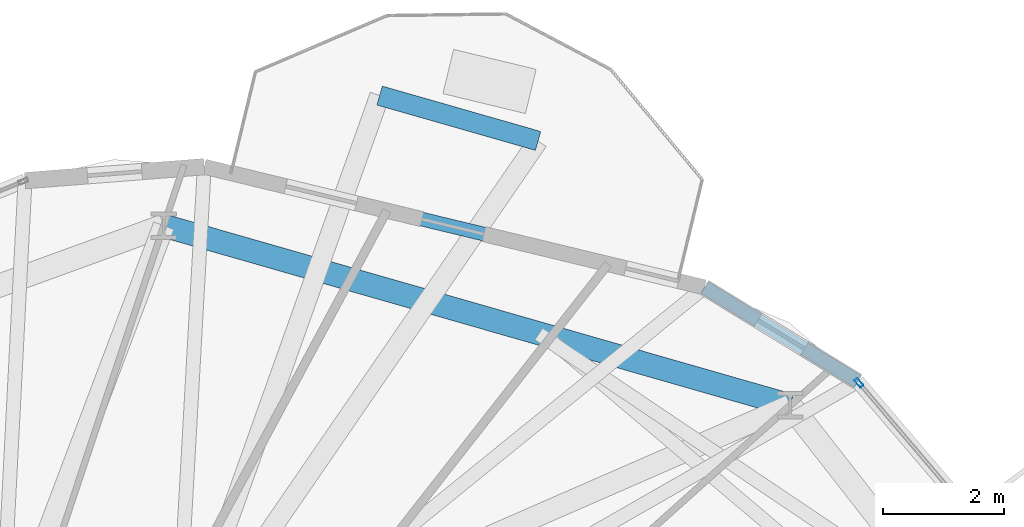
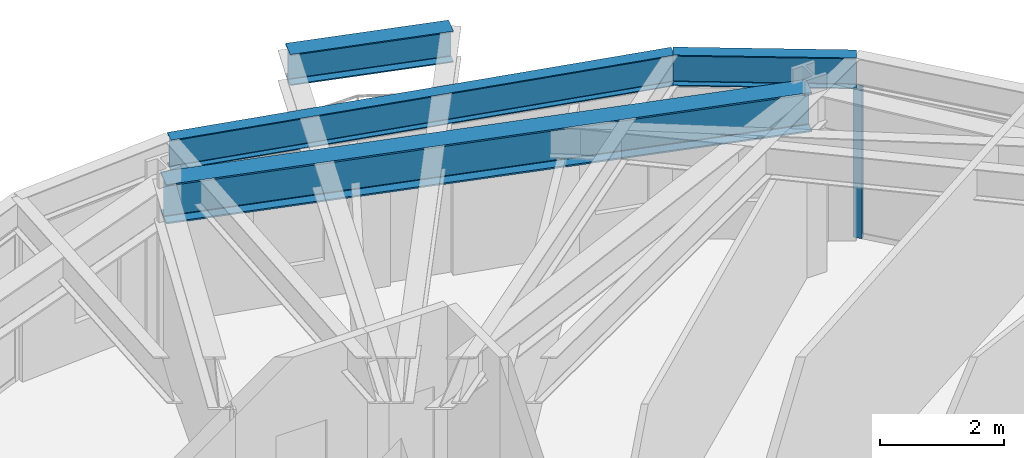
# One storey, part 14 of 21: 4 beams, 1 member, 1 element without a shape of its own.
"""IFC4 building model written with IfcOpenShell, lengths in metres."""

import ifcopenshell
import ifcopenshell.guid

model = None  # the IFC model being written
_history = None  # IfcOwnerHistory: only IFC2X3 demands one
_inside = {}  # id of a spatial element -> (the spatial element, [elements in it])
_under = {}  # id of a project, library or spatial element -> (it, [spatial elements below it])
_declared = {}  # id of a project -> (the project, [libraries it declares])
_typed = {}  # id of a type object -> (the type object, [elements of that type])
_made_of = {}  # id of a material, layer set ... -> (it, [elements and type objects made of it])


def new_model(schema):
    """Start an empty IFC model of exactly this schema.

    Asked for "IFC4X3", IfcOpenShell would pick the latest addendum, in which some entities
    have other attributes; the version numbers below select the first issue.
    IFC2X3 requires an IfcOwnerHistory on every rooted entity: one is made here for all.
    """
    global model, _history
    if schema == "IFC4X3":
        model = ifcopenshell.file(schema_version=(4, 3, 0, 0))
    else:
        model = ifcopenshell.file(schema=schema)
    _inside.clear()
    _under.clear()
    _declared.clear()
    _typed.clear()
    _made_of.clear()
    _history = None
    if model.schema == "IFC2X3":
        org = make("IfcOrganization", Name="unknown")
        user = make(
            "IfcPersonAndOrganization",
            ThePerson=make("IfcPerson", FamilyName="unknown"),
            TheOrganization=org,
        )
        app = make(
            "IfcApplication",
            ApplicationDeveloper=org,
            Version="unknown",
            ApplicationFullName="unknown",
            ApplicationIdentifier="unknown",
        )
        _history = make(
            "IfcOwnerHistory",
            OwningUser=user,
            OwningApplication=app,
            ChangeAction="ADDED",
            CreationDate=0,
        )
    return model


def make(cls, **values):
    """One entity of the class cls with the attributes given. An attribute that is None is left unset."""
    return model.create_entity(
        cls, **{name: value for name, value in values.items() if value is not None}
    )


def rooted(cls, **values):
    """An entity with a GlobalId (a new one), such as an element, a storey or a relation."""
    return make(cls, GlobalId=ifcopenshell.guid.new(), OwnerHistory=_history, **values)


def si_unit(unit_type, name, prefix=None):
    """IfcSIUnit, for example si_unit("LENGTHUNIT", "METRE", prefix="MILLI")."""
    return make("IfcSIUnit", UnitType=unit_type, Prefix=prefix, Name=name)


def assignment(units):
    """IfcUnitAssignment: the units of a project."""
    return None if units is None else make("IfcUnitAssignment", Units=units)


def point(xyz):
    """IfcCartesianPoint."""
    return None if xyz is None else make("IfcCartesianPoint", Coordinates=xyz)


def direction(xyz):
    """IfcDirection."""
    return None if xyz is None else make("IfcDirection", DirectionRatios=xyz)


def frame(location, z_axis=None, x_axis=None):
    """IfcAxis2Placement3D, a coordinate frame: its origin and axes. An axis left out is left unset."""
    return make(
        "IfcAxis2Placement3D",
        Location=point(location),
        Axis=direction(z_axis),
        RefDirection=direction(x_axis),
    )


def frame_2d(location, x_axis=None):
    """IfcAxis2Placement2D, a coordinate frame in the plane: its origin and x axis."""
    return make(
        "IfcAxis2Placement2D", Location=point(location), RefDirection=direction(x_axis)
    )


def origin():
    """The frame at (0, 0, 0) with its axes left unset."""
    return frame((0.0, 0.0, 0.0))


def origin_2d():
    """The frame at (0, 0) in the plane with its x axis left unset."""
    return frame_2d((0.0, 0.0))


def place(relative_to, where):
    """IfcLocalPlacement: puts the frame where relative to a parent placement (None: the world)."""
    return make(
        "IfcLocalPlacement", PlacementRelTo=relative_to, RelativePlacement=where
    )


def context(
    kind, dimensions, precision=None, world=None, true_north=None, identifier=None
):
    """IfcGeometricRepresentationContext, for example the 3D "Model" context."""
    return make(
        "IfcGeometricRepresentationContext",
        ContextIdentifier=identifier,
        ContextType=kind,
        CoordinateSpaceDimension=dimensions,
        Precision=precision,
        WorldCoordinateSystem=world,
        TrueNorth=true_north,
    )


def subcontext(parent, identifier, kind, view, scale=None):
    """IfcGeometricRepresentationSubContext, for example "Body" below "Model"."""
    return make(
        "IfcGeometricRepresentationSubContext",
        ContextIdentifier=identifier,
        ContextType=kind,
        ParentContext=parent,
        TargetScale=scale,
        TargetView=view,
    )


def project(units=None, contexts=None):
    """IfcProject with its units and contexts."""
    return rooted(
        "IfcProject",
        Name="project",
        RepresentationContexts=contexts,
        UnitsInContext=assignment(units),
    )


def spatial(cls, under=None, at=None, **own):
    """A site, building, storey or space (cls), placed at a placement, below another one or the project."""
    s = rooted(cls, ObjectPlacement=at, **own)
    if under is not None:
        _under.setdefault(under.id(), (under, []))[1].append(s)
    return s


def profile(cls, at=None, kind="AREA", **sizes):
    """A parametric profile (cls). Its sizes go by their IFC names, for example OverallWidth=200.0."""
    return make(cls, ProfileType=kind, Position=at, **sizes)


def hollow_rectangle(**sizes):
    """IfcRectangleHollowProfileDef."""
    return profile("IfcRectangleHollowProfileDef", **sizes)


def i_section(**sizes):
    """IfcIShapeProfileDef."""
    return profile("IfcIShapeProfileDef", **sizes)


def extrude(swept, where, along, depth):
    """IfcExtrudedAreaSolid: the profile swept, set in the frame where, extruded along a direction by depth."""
    return make(
        "IfcExtrudedAreaSolid",
        SweptArea=swept,
        Position=where,
        ExtrudedDirection=direction(along),
        Depth=depth,
    )


def shape(context_of_items, identifier, shape_type, items):
    """IfcShapeRepresentation: the items that make up one representation, for example the "Body"."""
    return make(
        "IfcShapeRepresentation",
        ContextOfItems=context_of_items,
        RepresentationIdentifier=identifier,
        RepresentationType=shape_type,
        Items=items,
    )


def material(Name=None, Category=None):
    """IfcMaterial."""
    return make("IfcMaterial", Name=Name, Category=Category)


def layer(
    of_material, thickness, ventilated=None, Name=None, Category=None, Priority=None
):
    """IfcMaterialLayer: one layer of a wall or slab, of a material (None: an air gap)."""
    return make(
        "IfcMaterialLayer",
        Material=of_material,
        LayerThickness=thickness,
        IsVentilated=ventilated,
        Name=Name,
        Category=Category,
        Priority=Priority,
    )


def layer_set(layers, Name=None):
    """IfcMaterialLayerSet."""
    return make("IfcMaterialLayerSet", MaterialLayers=layers, LayerSetName=Name)


def material_profile(
    of_material, cross_section, Name=None, Category=None, Priority=None
):
    """IfcMaterialProfile: a cross section and its material."""
    return make(
        "IfcMaterialProfile",
        Name=Name,
        Material=of_material,
        Profile=cross_section,
        Priority=Priority,
        Category=Category,
    )


def profile_set(profiles, Name=None, composite=None):
    """IfcMaterialProfileSet."""
    return make(
        "IfcMaterialProfileSet",
        Name=Name,
        MaterialProfiles=profiles,
        CompositeProfile=composite,
    )


def made_of(thing, what):
    """Note that an element or type object is made of a material, layer set ...; save() writes the relation."""
    if what is not None:
        _made_of.setdefault(what.id(), (what, []))[1].append(thing)
    return thing


def type_object(cls, material=None, **own):
    """A type object (cls), such as IfcWallType, which elements share."""
    return made_of(rooted(cls, **own), material)


def element(
    cls,
    number,
    at=None,
    inside=None,
    cuts=None,
    type_object=None,
    material=None,
    context=None,
    identifier="Body",
    shape_type=None,
    held_by="IfcProductDefinitionShape",
    body=None,
    shapes=None,
    **own,
):
    """One element of the class cls, such as IfcWall. Its Tag is "e" and its number.

    at: its placement. inside: the storey or other place that contains it. cuts: it is an
    opening in that element (IfcRelVoidsElement). A single representation is given by context,
    identifier, shape_type and body (its items); several are given by shapes. held_by: the class
    of the entity that holds the representations. save() writes the other relations.
    """
    e = rooted(cls, Tag="e%d" % number, ObjectPlacement=at, **own)
    if body is not None:
        shapes = [shape(context, identifier, shape_type, body)]
    if shapes is not None:
        e.Representation = make(held_by, Representations=shapes)
    if inside is not None:
        _inside.setdefault(inside.id(), (inside, []))[1].append(e)
    if cuts is not None:
        rooted(
            "IfcRelVoidsElement", RelatingBuildingElement=cuts, RelatedOpeningElement=e
        )
    if type_object is not None:
        _typed.setdefault(type_object.id(), (type_object, []))[1].append(e)
    return made_of(e, material)


def aggregate(whole, parts):
    """IfcRelAggregates: a whole, such as a stair, and the parts it consists of."""
    return rooted("IfcRelAggregates", RelatingObject=whole, RelatedObjects=parts)


def save(model, path):
    """Write the relations noted so far, then the file.

    IfcRelAggregates (storeys below a building ...), IfcRelContainedInSpatialStructure (elements
    in a storey), IfcRelDefinesByType, IfcRelAssociatesMaterial and IfcRelDeclares: one each for
    every whole, place, type object, material and project.
    """
    for whole, parts in _under.values():
        aggregate(whole, parts)
    for where, things in _inside.values():
        rooted(
            "IfcRelContainedInSpatialStructure",
            RelatedElements=things,
            RelatingStructure=where,
        )
    for kind, things in _typed.values():
        rooted("IfcRelDefinesByType", RelatedObjects=things, RelatingType=kind)
    for what, things in _made_of.values():
        rooted("IfcRelAssociatesMaterial", RelatedObjects=things, RelatingMaterial=what)
    for by, libraries in _declared.values():
        rooted("IfcRelDeclares", RelatingContext=by, RelatedDefinitions=libraries)
    model.write(path)


model = new_model("IFC4")

# Units and contexts
model_context = context("Model", 3, precision=1e-05, world=origin(), true_north=direction((0.0, 1.0)))
body_context = subcontext(model_context, "Body", "Model", "MODEL_VIEW")
ifc_project = project(units=[si_unit("LENGTHUNIT", "METRE"), si_unit("AREAUNIT", "SQUARE_METRE"), si_unit("VOLUMEUNIT", "CUBIC_METRE"), si_unit("PLANEANGLEUNIT", "RADIAN"), si_unit("MASSUNIT", "GRAM", prefix="KILO")], contexts=[model_context])

# Site, building, storey
site_placement = place(None, origin())
site = spatial("IfcSite", under=ifc_project, at=site_placement, CompositionType="ELEMENT")
building_placement = place(site_placement, origin())
building = spatial("IfcBuilding", under=site, at=building_placement, Name="Soratama Intermodal Tower", CompositionType="ELEMENT")
storey_placement = place(building_placement, frame((0.0, 0.0, 114.699951171875)))
storey = spatial("IfcBuildingStorey", under=building, at=storey_placement, Name="L27", CompositionType="ELEMENT", Elevation=114.699951171875)

# Beams
ifc_material_1 = material(Name="Structural steel ASTM A992 Grade 50", Category="steel")
ifc_material_profile_1 = material_profile(ifc_material_1, i_section(OverallWidth=0.324951171875, OverallDepth=0.615966796875, WebThickness=0.013916015625, FlangeThickness=0.021484375, FilletRadius=0.013916015625, at=origin_2d()), Name="W24X117")
ifc_profile_set_1 = profile_set([ifc_material_profile_1], Name="Structural steel ASTM A992 Grade 50")
beam_type_1 = type_object("IfcBeamType", Name="BM-CANT-W24X117", PredefinedType="BEAM", material=ifc_profile_set_1)
beam_1_placement = place(storey_placement, frame((50.569091796875, 43.7880859375, 3.2919921875), z_axis=(-0.961313606684, 0.27545625715, 0.0), x_axis=(-0.27545625715, -0.961313606684, 0.0)))
element("IfcBeam", 1, at=beam_1_placement, inside=storey, type_object=beam_type_1, Name="BM-L27-CBHDR-1", PredefinedType="BEAM", context=body_context, shape_type="SweptSolid", body=[
    extrude(i_section(OverallWidth=0.324951171875, OverallDepth=0.615966796875, WebThickness=0.013916015625, FlangeThickness=0.021484375, FilletRadius=0.013916015625, at=origin_2d()), origin(), (0.0, 0.0, 1.0), 2.71923828125),
])
ifc_material_2 = material(Name="Structural steel ASTM A992 Grade 50", Category="steel")
ifc_material_profile_2 = material_profile(ifc_material_2, i_section(OverallWidth=0.382080078125, OverallDepth=0.779052734375, WebThickness=0.01806640625, FlangeThickness=0.030029296875, FilletRadius=0.01806640625, at=origin_2d()), Name="W30X191")
ifc_profile_set_2 = profile_set([ifc_material_profile_2], Name="Structural steel ASTM A992 Grade 50")
beam_type_2 = type_object("IfcBeamType", Name="BM-RING-W30X191", PredefinedType="BEAM", material=ifc_profile_set_2)
beam_2_placement = place(storey_placement, frame((54.72998046875, 39.425048828125, 3.21044921875), z_axis=(-0.961266505995, 0.275620580604, 0.0), x_axis=(-0.275620580604, -0.961266505995, 0.0)))
element("IfcBeam", 2, at=beam_2_placement, inside=storey, type_object=beam_type_2, Name="BM-L27-RING-02", PredefinedType="BEAM", context=body_context, shape_type="SweptSolid", body=[
    extrude(i_section(OverallWidth=0.382080078125, OverallDepth=0.779052734375, WebThickness=0.01806640625, FlangeThickness=0.030029296875, FilletRadius=0.01806640625, at=origin_2d()), origin(), (0.0, 0.0, 1.0), 10.75341796875),
])
ifc_material_3 = material(Name="Structural steel ASTM A992 Grade 50", Category="steel")
ifc_material_profile_3 = material_profile(ifc_material_3, i_section(OverallWidth=0.22900390625, OverallDepth=0.612060546875, WebThickness=0.011962890625, FlangeThickness=0.01953125, FilletRadius=0.012939453125, at=origin_2d()), Name="W24X84")
ifc_profile_set_3 = profile_set([ifc_material_profile_3], Name="Structural steel ASTM A992 Grade 50")
beam_type_3 = type_object("IfcBeamType", Name="BM-SPN-W24X84", PredefinedType="SPANDREL", material=ifc_profile_set_3)
beam_3_placement = place(storey_placement, frame((55.843994140625, 39.820068359375, 3.2939453125), z_axis=(-0.852073364942, 0.523422373191, 0.0), x_axis=(-0.523422373191, -0.852073364942, 0.0)))
element("IfcBeam", 3, at=beam_3_placement, inside=storey, type_object=beam_type_3, Name="BS-L27-CRN01", PredefinedType="SPANDREL", context=body_context, shape_type="SweptSolid", body=[
    extrude(i_section(OverallWidth=0.22900390625, OverallDepth=0.612060546875, WebThickness=0.011962890625, FlangeThickness=0.01953125, FilletRadius=0.012939453125, at=origin_2d()), origin(), (0.0, 0.0, 1.0), 2.967041015625),
])
beam_4_placement = place(storey_placement, frame((53.31591796875, 41.373046875, 3.2939453125), z_axis=(-0.97211860796, 0.234489684332, 0.0), x_axis=(-0.234489684332, -0.97211860796, 0.0)))
element("IfcBeam", 4, at=beam_4_placement, inside=storey, type_object=beam_type_3, Name="BS-L27-F02", PredefinedType="SPANDREL", context=body_context, shape_type="SweptSolid", body=[
    extrude(i_section(OverallWidth=0.22900390625, OverallDepth=0.612060546875, WebThickness=0.011962890625, FlangeThickness=0.01953125, FilletRadius=0.012939453125, at=origin_2d()), origin(), (0.0, 0.0, 1.0), 8.49072265625),
])

# Curtain wall, member
ifc_material_4 = material(Name="Double-glazed aluminium curtain wall", Category="aluminium")
ifc_layer = layer(ifc_material_4, 0.159912109375)
ifc_layer_set = layer_set([ifc_layer], Name="Double-glazed aluminium curtain wall")
curtain_wall_type = type_object("IfcCurtainWallType", Name="CW-SYS-3", PredefinedType="NOTDEFINED", material=ifc_layer_set)
curtain_wall_placement = place(storey_placement, origin())
curtain_wall = element("IfcCurtainWall", 5, at=curtain_wall_placement, inside=storey, type_object=curtain_wall_type, Name="L27 Faceted Curtain Wall F01", PredefinedType="NOTDEFINED")
ifc_material_5 = material(Name="Anodised aluminium AA 6063-T6", Category="aluminium")
ifc_material_profile_4 = material_profile(ifc_material_5, hollow_rectangle(XDim=0.070068359375, YDim=0.159912109375, WallThickness=0.0048828125, InnerFilletRadius=0.0048828125, OuterFilletRadius=0.010009765625, at=origin_2d()), Name="CWM160X70X5")
ifc_profile_set_4 = profile_set([ifc_material_profile_4], Name="Anodised aluminium AA 6063-T6")
member_type = type_object("IfcMemberType", Name="MT-CWM-3", PredefinedType="MULLION", material=ifc_profile_set_4)
member_placement = place(storey_placement, frame((55.86328125, 39.797119140625, 0.0), z_axis=(0.0, 0.0, 1.0), x_axis=(-0.761087528491, -0.648649191763, 0.0)))
member = element("IfcMember", 6, at=member_placement, type_object=member_type, Name="CW-3 mullion 2", PredefinedType="MULLION", context=body_context, shape_type="SweptSolid", body=[
    extrude(hollow_rectangle(XDim=0.070068359375, YDim=0.159912109375, WallThickness=0.0048828125, InnerFilletRadius=0.0048828125, OuterFilletRadius=0.010009765625, at=origin_2d()), origin(), (0.0, 0.0, 1.0), 2.97900390625),
])
aggregate(curtain_wall, [member])

save(model, "model.ifc")
